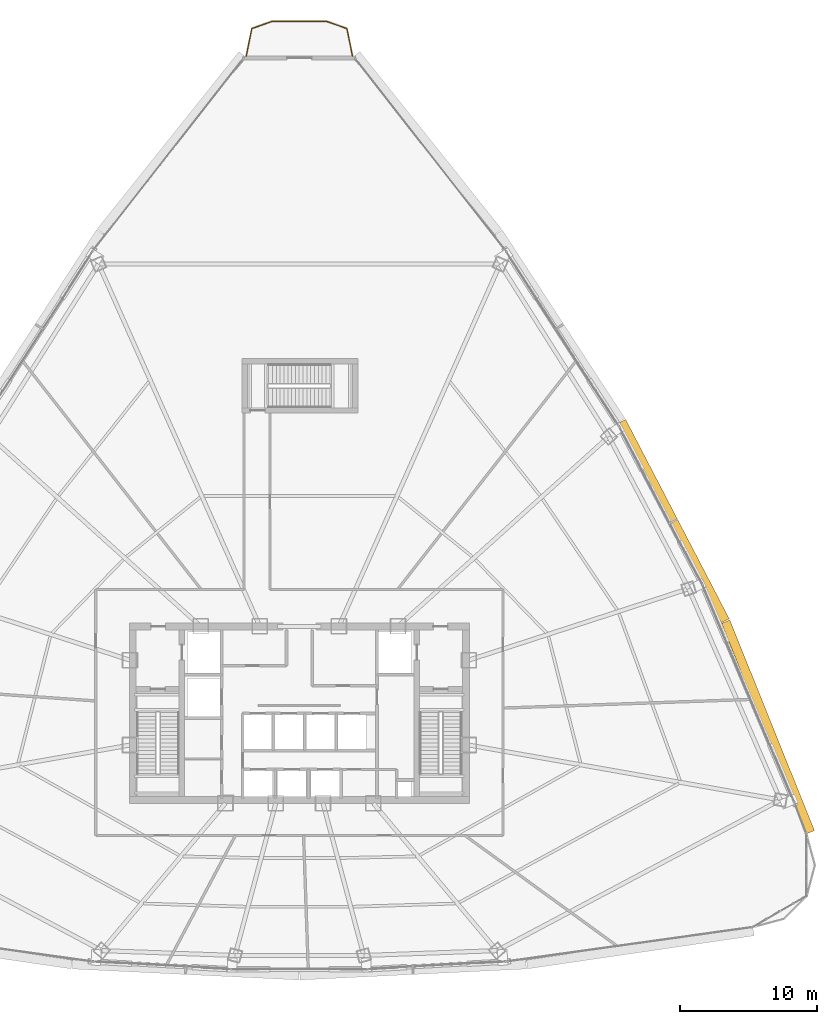
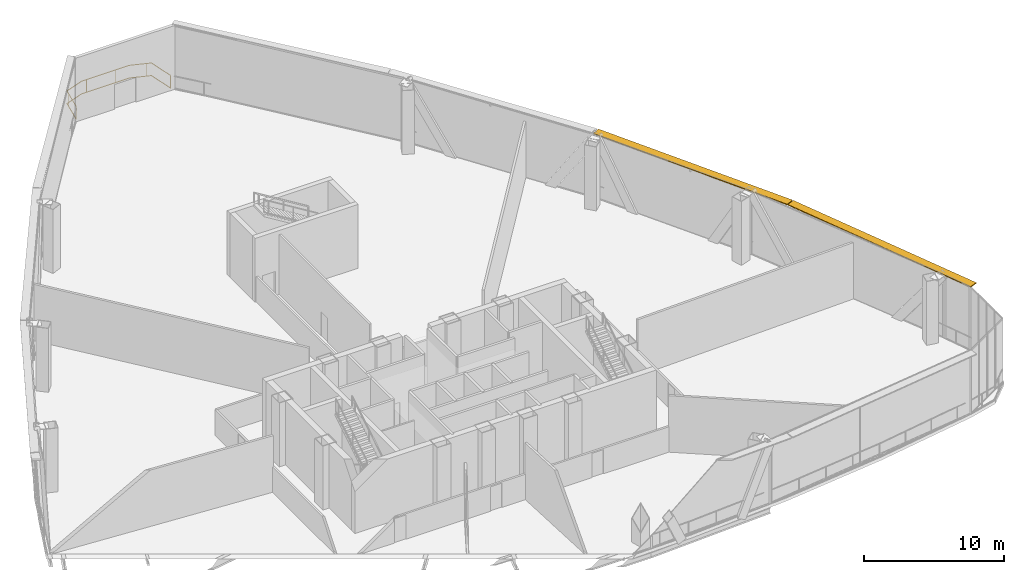
# One storey, part 38 of 38: 2 shading devices, 1 railing.
"""IFC4 building model written with IfcOpenShell, lengths in metres."""

import ifcopenshell
import ifcopenshell.guid

model = None  # the IFC model being written
_history = None  # IfcOwnerHistory: only IFC2X3 demands one
_inside = {}  # id of a spatial element -> (the spatial element, [elements in it])
_under = {}  # id of a project, library or spatial element -> (it, [spatial elements below it])
_declared = {}  # id of a project -> (the project, [libraries it declares])
_typed = {}  # id of a type object -> (the type object, [elements of that type])
_made_of = {}  # id of a material, layer set ... -> (it, [elements and type objects made of it])


def new_model(schema):
    """Start an empty IFC model of exactly this schema.

    Asked for "IFC4X3", IfcOpenShell would pick the latest addendum, in which some entities
    have other attributes; the version numbers below select the first issue.
    IFC2X3 requires an IfcOwnerHistory on every rooted entity: one is made here for all.
    """
    global model, _history
    if schema == "IFC4X3":
        model = ifcopenshell.file(schema_version=(4, 3, 0, 0))
    else:
        model = ifcopenshell.file(schema=schema)
    _inside.clear()
    _under.clear()
    _declared.clear()
    _typed.clear()
    _made_of.clear()
    _history = None
    if model.schema == "IFC2X3":
        org = make("IfcOrganization", Name="unknown")
        user = make(
            "IfcPersonAndOrganization",
            ThePerson=make("IfcPerson", FamilyName="unknown"),
            TheOrganization=org,
        )
        app = make(
            "IfcApplication",
            ApplicationDeveloper=org,
            Version="unknown",
            ApplicationFullName="unknown",
            ApplicationIdentifier="unknown",
        )
        _history = make(
            "IfcOwnerHistory",
            OwningUser=user,
            OwningApplication=app,
            ChangeAction="ADDED",
            CreationDate=0,
        )
    return model


def make(cls, **values):
    """One entity of the class cls with the attributes given. An attribute that is None is left unset."""
    return model.create_entity(
        cls, **{name: value for name, value in values.items() if value is not None}
    )


def rooted(cls, **values):
    """An entity with a GlobalId (a new one), such as an element, a storey or a relation."""
    return make(cls, GlobalId=ifcopenshell.guid.new(), OwnerHistory=_history, **values)


def si_unit(unit_type, name, prefix=None):
    """IfcSIUnit, for example si_unit("LENGTHUNIT", "METRE", prefix="MILLI")."""
    return make("IfcSIUnit", UnitType=unit_type, Prefix=prefix, Name=name)


def assignment(units):
    """IfcUnitAssignment: the units of a project."""
    return None if units is None else make("IfcUnitAssignment", Units=units)


def point(xyz):
    """IfcCartesianPoint."""
    return None if xyz is None else make("IfcCartesianPoint", Coordinates=xyz)


def direction(xyz):
    """IfcDirection."""
    return None if xyz is None else make("IfcDirection", DirectionRatios=xyz)


def frame(location, z_axis=None, x_axis=None):
    """IfcAxis2Placement3D, a coordinate frame: its origin and axes. An axis left out is left unset."""
    return make(
        "IfcAxis2Placement3D",
        Location=point(location),
        Axis=direction(z_axis),
        RefDirection=direction(x_axis),
    )


def frame_2d(location, x_axis=None):
    """IfcAxis2Placement2D, a coordinate frame in the plane: its origin and x axis."""
    return make(
        "IfcAxis2Placement2D", Location=point(location), RefDirection=direction(x_axis)
    )


def origin():
    """The frame at (0, 0, 0) with its axes left unset."""
    return frame((0.0, 0.0, 0.0))


def origin_2d():
    """The frame at (0, 0) in the plane with its x axis left unset."""
    return frame_2d((0.0, 0.0))


def place(relative_to, where):
    """IfcLocalPlacement: puts the frame where relative to a parent placement (None: the world)."""
    return make(
        "IfcLocalPlacement", PlacementRelTo=relative_to, RelativePlacement=where
    )


def context(
    kind, dimensions, precision=None, world=None, true_north=None, identifier=None
):
    """IfcGeometricRepresentationContext, for example the 3D "Model" context."""
    return make(
        "IfcGeometricRepresentationContext",
        ContextIdentifier=identifier,
        ContextType=kind,
        CoordinateSpaceDimension=dimensions,
        Precision=precision,
        WorldCoordinateSystem=world,
        TrueNorth=true_north,
    )


def subcontext(parent, identifier, kind, view, scale=None):
    """IfcGeometricRepresentationSubContext, for example "Body" below "Model"."""
    return make(
        "IfcGeometricRepresentationSubContext",
        ContextIdentifier=identifier,
        ContextType=kind,
        ParentContext=parent,
        TargetScale=scale,
        TargetView=view,
    )


def project(units=None, contexts=None):
    """IfcProject with its units and contexts."""
    return rooted(
        "IfcProject",
        Name="project",
        RepresentationContexts=contexts,
        UnitsInContext=assignment(units),
    )


def spatial(cls, under=None, at=None, **own):
    """A site, building, storey or space (cls), placed at a placement, below another one or the project."""
    s = rooted(cls, ObjectPlacement=at, **own)
    if under is not None:
        _under.setdefault(under.id(), (under, []))[1].append(s)
    return s


def profile(cls, at=None, kind="AREA", **sizes):
    """A parametric profile (cls). Its sizes go by their IFC names, for example OverallWidth=200.0."""
    return make(cls, ProfileType=kind, Position=at, **sizes)


def rectangle(**sizes):
    """IfcRectangleProfileDef."""
    return profile("IfcRectangleProfileDef", **sizes)


def extrude(swept, where, along, depth):
    """IfcExtrudedAreaSolid: the profile swept, set in the frame where, extruded along a direction by depth."""
    return make(
        "IfcExtrudedAreaSolid",
        SweptArea=swept,
        Position=where,
        ExtrudedDirection=direction(along),
        Depth=depth,
    )


def shape(context_of_items, identifier, shape_type, items):
    """IfcShapeRepresentation: the items that make up one representation, for example the "Body"."""
    return make(
        "IfcShapeRepresentation",
        ContextOfItems=context_of_items,
        RepresentationIdentifier=identifier,
        RepresentationType=shape_type,
        Items=items,
    )


def source(mapping_origin, context_of_items, identifier, shape_type, items):
    """IfcRepresentationMap: a shape defined once, which mapped items show again and again."""
    return make(
        "IfcRepresentationMap",
        MappingOrigin=mapping_origin,
        MappedRepresentation=shape(context_of_items, identifier, shape_type, items),
    )


def transform(
    local_origin,
    x_axis=None,
    y_axis=None,
    z_axis=None,
    scale=None,
    scale2=None,
    scale3=None,
    uniform=True,
):
    """IfcCartesianTransformationOperator3D, or its non-uniform kind. x_axis, y_axis, z_axis: its Axis1, 2, 3."""
    if uniform:
        return make(
            "IfcCartesianTransformationOperator3D",
            Axis1=direction(x_axis),
            Axis2=direction(y_axis),
            LocalOrigin=point(local_origin),
            Scale=scale,
            Axis3=direction(z_axis),
        )
    return make(
        "IfcCartesianTransformationOperator3DnonUniform",
        Axis1=direction(x_axis),
        Axis2=direction(y_axis),
        LocalOrigin=point(local_origin),
        Scale=scale,
        Axis3=direction(z_axis),
        Scale2=scale2,
        Scale3=scale3,
    )


def mapped(mapping_source, mapping_target):
    """IfcMappedItem: shows the shape of a source again, moved by a transform."""
    return make(
        "IfcMappedItem", MappingSource=mapping_source, MappingTarget=mapping_target
    )


def material(Name=None, Category=None):
    """IfcMaterial."""
    return make("IfcMaterial", Name=Name, Category=Category)


def layer(
    of_material, thickness, ventilated=None, Name=None, Category=None, Priority=None
):
    """IfcMaterialLayer: one layer of a wall or slab, of a material (None: an air gap)."""
    return make(
        "IfcMaterialLayer",
        Material=of_material,
        LayerThickness=thickness,
        IsVentilated=ventilated,
        Name=Name,
        Category=Category,
        Priority=Priority,
    )


def layer_set(layers, Name=None):
    """IfcMaterialLayerSet."""
    return make("IfcMaterialLayerSet", MaterialLayers=layers, LayerSetName=Name)


def made_of(thing, what):
    """Note that an element or type object is made of a material, layer set ...; save() writes the relation."""
    if what is not None:
        _made_of.setdefault(what.id(), (what, []))[1].append(thing)
    return thing


def type_object(cls, material=None, **own):
    """A type object (cls), such as IfcWallType, which elements share."""
    return made_of(rooted(cls, **own), material)


def element(
    cls,
    number,
    at=None,
    inside=None,
    cuts=None,
    type_object=None,
    material=None,
    context=None,
    identifier="Body",
    shape_type=None,
    held_by="IfcProductDefinitionShape",
    body=None,
    shapes=None,
    **own,
):
    """One element of the class cls, such as IfcWall. Its Tag is "e" and its number.

    at: its placement. inside: the storey or other place that contains it. cuts: it is an
    opening in that element (IfcRelVoidsElement). A single representation is given by context,
    identifier, shape_type and body (its items); several are given by shapes. held_by: the class
    of the entity that holds the representations. save() writes the other relations.
    """
    e = rooted(cls, Tag="e%d" % number, ObjectPlacement=at, **own)
    if body is not None:
        shapes = [shape(context, identifier, shape_type, body)]
    if shapes is not None:
        e.Representation = make(held_by, Representations=shapes)
    if inside is not None:
        _inside.setdefault(inside.id(), (inside, []))[1].append(e)
    if cuts is not None:
        rooted(
            "IfcRelVoidsElement", RelatingBuildingElement=cuts, RelatedOpeningElement=e
        )
    if type_object is not None:
        _typed.setdefault(type_object.id(), (type_object, []))[1].append(e)
    return made_of(e, material)


def aggregate(whole, parts):
    """IfcRelAggregates: a whole, such as a stair, and the parts it consists of."""
    return rooted("IfcRelAggregates", RelatingObject=whole, RelatedObjects=parts)


def save(model, path):
    """Write the relations noted so far, then the file.

    IfcRelAggregates (storeys below a building ...), IfcRelContainedInSpatialStructure (elements
    in a storey), IfcRelDefinesByType, IfcRelAssociatesMaterial and IfcRelDeclares: one each for
    every whole, place, type object, material and project.
    """
    for whole, parts in _under.values():
        aggregate(whole, parts)
    for where, things in _inside.values():
        rooted(
            "IfcRelContainedInSpatialStructure",
            RelatedElements=things,
            RelatingStructure=where,
        )
    for kind, things in _typed.values():
        rooted("IfcRelDefinesByType", RelatedObjects=things, RelatingType=kind)
    for what, things in _made_of.values():
        rooted("IfcRelAssociatesMaterial", RelatedObjects=things, RelatingMaterial=what)
    for by, libraries in _declared.values():
        rooted("IfcRelDeclares", RelatingContext=by, RelatedDefinitions=libraries)
    model.write(path)


model = new_model("IFC4")

# Units and contexts
model_context = context("Model", 3, precision=1e-05, world=origin(), true_north=direction((0.0, 1.0)))
body_context = subcontext(model_context, "Body", "Model", "MODEL_VIEW")
ifc_project = project(units=[si_unit("LENGTHUNIT", "METRE"), si_unit("AREAUNIT", "SQUARE_METRE"), si_unit("VOLUMEUNIT", "CUBIC_METRE"), si_unit("PLANEANGLEUNIT", "RADIAN"), si_unit("MASSUNIT", "GRAM", prefix="KILO"), si_unit("THERMODYNAMICTEMPERATUREUNIT", "KELVIN"), si_unit("POWERUNIT", "WATT")], contexts=[model_context])

# Site, building, storey
site_placement = place(None, origin())
site = spatial("IfcSite", under=ifc_project, at=site_placement, CompositionType="ELEMENT")
building_placement = place(site_placement, origin())
building = spatial("IfcBuilding", under=site, at=building_placement, Name="Yunzhuo Pagoda Commons", CompositionType="ELEMENT")
storey_placement = place(building_placement, frame((0.0, 0.0, 218.9599609375)))
storey = spatial("IfcBuildingStorey", under=building, at=storey_placement, Name="L55", CompositionType="ELEMENT", Elevation=218.9599609375)

# Railing
ifc_material = material(Name="Anodized aluminium 6063-T6", Category="aluminium")
railing_type = type_object("IfcRailingType", Name="RL-BAL1 Exterior Terrace & Balcony Balustrade 1150", PredefinedType="BALUSTRADE", material=ifc_material)
railing_placement = place(storey_placement, frame((51.887939453125, 81.93408203125, 0.0)))
element("IfcRailing", 1, at=railing_placement, inside=storey, type_object=railing_type, Name="L55 corner balcony balustrade V3", PredefinedType="BALUSTRADE", context=body_context, shape_type="SweptSolid", body=[
    extrude(rectangle(XDim=0.048095703125, YDim=0.048095703125, at=origin_2d()), frame((0.0, 0.0, 1.1259765625), z_axis=(-0.194314652384, 0.980939251875, 0.0), x_axis=(-0.980939251875, -0.194314652384, 0.0)), (0.0, 0.0, 1.0), 2.059326171875),
    extrude(rectangle(XDim=0.048095703125, YDim=0.048095703125, at=origin_2d()), frame((0.0, 0.0, 0.02392578125), z_axis=(-0.194314652384, 0.980939251875, 0.0), x_axis=(-0.980939251875, -0.194314652384, 0.0)), (0.0, 0.0, 1.0), 2.059326171875),
    extrude(rectangle(XDim=0.048095703125, YDim=0.048095703125, at=origin_2d()), frame((-0.400146484375, 2.02001953125, 1.1259765625), z_axis=(-0.943140047512, 0.332395623888, 0.0), x_axis=(-0.332395623888, -0.943140047512, 0.0)), (0.0, 0.0, 1.0), 1.594482421875),
    extrude(rectangle(XDim=0.048095703125, YDim=0.048095703125, at=origin_2d()), frame((-0.400146484375, 2.02001953125, 0.02392578125), z_axis=(-0.943140047512, 0.332395623888, 0.0), x_axis=(-0.332395623888, -0.943140047512, 0.0)), (0.0, 0.0, 1.0), 1.594482421875),
    extrude(rectangle(XDim=0.048095703125, YDim=0.048095703125, at=origin_2d()), frame((-1.904052734375, 2.550048828125, 1.1259765625), z_axis=(-1.0, 0.0, 0.0), x_axis=(0.0, -1.0, 0.0)), (0.0, 0.0, 1.0), 3.9677734375),
    extrude(rectangle(XDim=0.048095703125, YDim=0.048095703125, at=origin_2d()), frame((-1.904052734375, 2.550048828125, 0.02392578125), z_axis=(-1.0, 0.0, 0.0), x_axis=(0.0, -1.0, 0.0)), (0.0, 0.0, 1.0), 3.9677734375),
    extrude(rectangle(XDim=0.048095703125, YDim=0.048095703125, at=origin_2d()), frame((-5.871826171875, 2.550048828125, 1.1259765625), z_axis=(-0.943140047512, -0.332395623888, 0.0), x_axis=(0.332395623888, -0.943140047512, 0.0)), (0.0, 0.0, 1.0), 1.594482421875),
    extrude(rectangle(XDim=0.048095703125, YDim=0.048095703125, at=origin_2d()), frame((-5.871826171875, 2.550048828125, 0.02392578125), z_axis=(-0.943140047512, -0.332395623888, 0.0), x_axis=(0.332395623888, -0.943140047512, 0.0)), (0.0, 0.0, 1.0), 1.594482421875),
    extrude(rectangle(XDim=0.048095703125, YDim=0.048095703125, at=origin_2d()), frame((-7.375732421875, 2.02001953125, 1.1259765625), z_axis=(-0.194314652384, -0.980939251875, 0.0), x_axis=(0.980939251875, -0.194314652384, 0.0)), (0.0, 0.0, 1.0), 2.059326171875),
    extrude(rectangle(XDim=0.048095703125, YDim=0.048095703125, at=origin_2d()), frame((-7.375732421875, 2.02001953125, 0.02392578125), z_axis=(-0.194314652384, -0.980939251875, 0.0), x_axis=(0.980939251875, -0.194314652384, 0.0)), (0.0, 0.0, 1.0), 2.059326171875),
    extrude(rectangle(XDim=0.0419921875, YDim=0.0419921875, at=origin_2d()), origin(), (0.0, 0.0, 1.0), 1.101806640625),
    extrude(rectangle(XDim=0.0419921875, YDim=0.0419921875, at=origin_2d()), frame((-0.721435546875, 2.13330078125, 0.0)), (0.0, 0.0, 1.0), 1.101806640625),
    extrude(rectangle(XDim=0.0419921875, YDim=0.0419921875, at=origin_2d()), frame((-3.05029296875, 2.550048828125, 0.0)), (0.0, 0.0, 1.0), 1.101806640625),
    extrude(rectangle(XDim=0.0419921875, YDim=0.0419921875, at=origin_2d()), frame((-5.4501953125, 2.550048828125, 0.0)), (0.0, 0.0, 1.0), 1.101806640625),
    extrude(rectangle(XDim=0.0419921875, YDim=0.0419921875, at=origin_2d()), frame((-7.4501953125, 1.6435546875, 0.0)), (0.0, 0.0, 1.0), 1.101806640625),
    extrude(rectangle(XDim=0.0419921875, YDim=0.0419921875, at=origin_2d()), frame((-7.77587890625, 0.0, 0.0)), (0.0, 0.0, 1.0), 1.101806640625),
])

# Shading devices
ifc_layer = layer(ifc_material, 0.080078125)
ifc_layer_set = layer_set([ifc_layer], Name="Anodized aluminium 6063-T6")
shading_device_type = type_object("IfcShadingDeviceType", Name="SH-SUN1 Pagoda Horizontal Sunshade Eave 650", PredefinedType="USERDEFINED", material=ifc_layer_set)
shared_shape_1 = source(origin(), body_context, "Body", "SweptSolid", [
    extrude(rectangle(XDim=16.61181640625, YDim=0.64990234375, at=origin_2d()), origin(), (0.0, 0.0, 1.0), 0.080078125),
])
shading_device_1_placement = place(storey_placement, frame((82.305908203125, 32.837890625, 5.489990234375), z_axis=(0.0, 0.0, 1.0), x_axis=(-0.372987782576, 0.927836253899, 0.0)))
element("IfcShadingDevice", 2, at=shading_device_1_placement, inside=storey, type_object=shading_device_type, Name="L55 horizontal pagoda sunshade eave F2.1", ObjectType="SUNSHADE", PredefinedType="USERDEFINED", context=body_context, shape_type="MappedRepresentation", body=[
    mapped(shared_shape_1, transform((0.0, 0.0, 0.0), scale=1.0)),
])
shared_shape_2 = source(origin(), body_context, "Body", "SweptSolid", [
    extrude(rectangle(XDim=16.4541015625, YDim=0.64990234375, at=origin_2d()), origin(), (0.0, 0.0, 1.0), 0.080078125),
])
shading_device_2_placement = place(storey_placement, frame((75.38720703125, 47.90185546875, 5.489990234375), z_axis=(0.0, 0.0, 1.0), x_axis=(-0.461206683033, 0.88729273384, 0.0)))
element("IfcShadingDevice", 3, at=shading_device_2_placement, inside=storey, type_object=shading_device_type, Name="L55 horizontal pagoda sunshade eave F2.2", ObjectType="SUNSHADE", PredefinedType="USERDEFINED", context=body_context, shape_type="MappedRepresentation", body=[
    mapped(shared_shape_2, transform((0.0, 0.0, 0.0), scale=1.0)),
])

save(model, "model.ifc")
